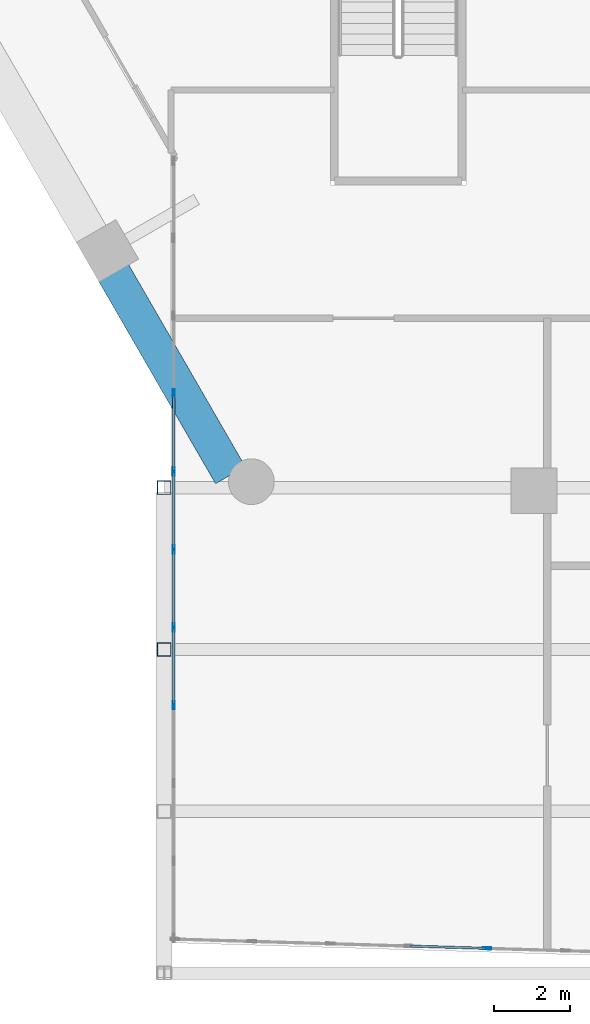
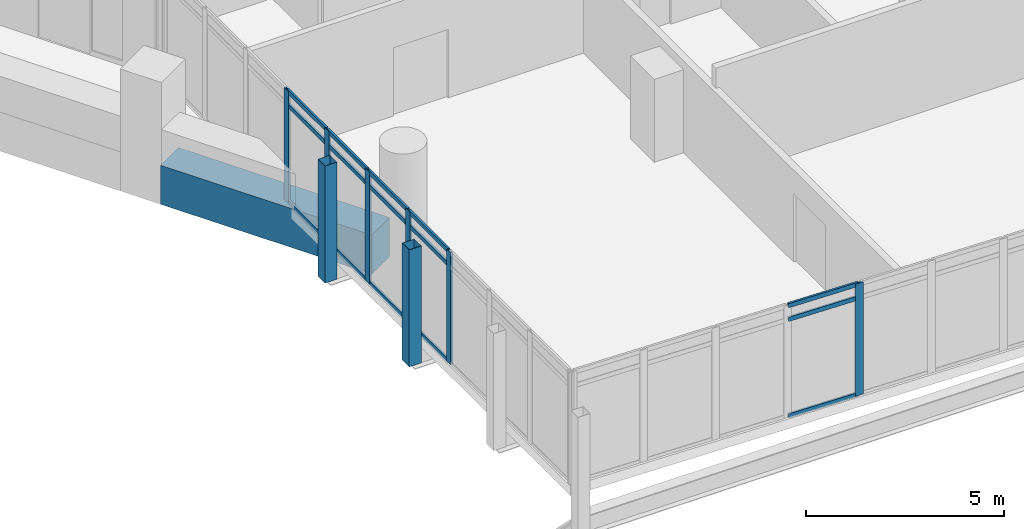
# One storey, part 4 of 37: 23 members, 1 beam, 2 elements without a shape of their own.
"""IFC4 building model written with IfcOpenShell, lengths in metres."""

from ifc_helpers import new_model, si_unit, direction, frame, origin, origin_2d, place, context, subcontext, project, spatial, rectangle, hollow_rectangle, extrude, material, material_profile, profile_set, type_object, element, aggregate, save


model = new_model("IFC4")

# Units and contexts
model_context = context("Model", 3, precision=1e-05, world=origin(), true_north=direction((0.0, 1.0)))
body_context = subcontext(model_context, "Body", "Model", "MODEL_VIEW")
ifc_project = project(units=[si_unit("LENGTHUNIT", "METRE"), si_unit("AREAUNIT", "SQUARE_METRE"), si_unit("VOLUMEUNIT", "CUBIC_METRE"), si_unit("PLANEANGLEUNIT", "RADIAN"), si_unit("MASSUNIT", "GRAM", prefix="KILO")], contexts=[model_context])

# Site, building, storey
site_placement = place(None, origin())
site = spatial("IfcSite", under=ifc_project, at=site_placement, CompositionType="ELEMENT")
building_placement = place(site_placement, origin())
building = spatial("IfcBuilding", under=site, at=building_placement, Name="Ostrander Bayou Hotel Tower", CompositionType="ELEMENT")
storey_placement = place(building_placement, frame((0.0, 0.0, 93.0)))
storey = spatial("IfcBuildingStorey", under=building, at=storey_placement, Name="L23", CompositionType="ELEMENT", Elevation=93.0)

# Curtain wall, members
ifc_material_1 = material(Name="Aluminium and clear glass", Category="aluminium")
curtain_wall_type = type_object("IfcCurtainWallType", Name="CW-BAR glazed wall", PredefinedType="NOTDEFINED", material=ifc_material_1)
curtain_wall_1_placement = place(storey_placement, origin())
curtain_wall_1 = element("IfcCurtainWall", 1, at=curtain_wall_1_placement, inside=storey, type_object=curtain_wall_type, Name="CW-BAR L23:SB2S:E", PredefinedType="NOTDEFINED")
ifc_material_2 = material(Name="Aluminium", Category="aluminium")
ifc_material_profile_1 = material_profile(ifc_material_2, hollow_rectangle(XDim=0.06005859375, YDim=0.219970703125, WallThickness=0.00390625, at=origin_2d()))
ifc_profile_set_1 = profile_set([ifc_material_profile_1], Name="Aluminium")
member_type_1 = type_object("IfcMemberType", Name="CW-BR mullion 60 x 220 mm", PredefinedType="MULLION", material=ifc_profile_set_1)
member_1_placement = place(storey_placement, frame((-13.3671875, -16.98388671875, 0.0), z_axis=(0.0, 0.0, 1.0), x_axis=(1.0, 0.0, 0.0)))
member_1 = element("IfcMember", 2, at=member_1_placement, type_object=member_type_1, Name="CW-BAR mullion 4", PredefinedType="MULLION", context=body_context, shape_type="SweptSolid", body=[
    extrude(hollow_rectangle(XDim=0.06005859375, YDim=0.219970703125, WallThickness=0.00390625, at=origin_2d()), origin(), (0.0, 0.0, 1.0), 3.449951171875),
])
member_2_placement = place(storey_placement, frame((-13.3671875, -19.029296875, 0.0), z_axis=(0.0, 0.0, 1.0), x_axis=(1.0, 0.0, 0.0)))
member_2 = element("IfcMember", 3, at=member_2_placement, type_object=member_type_1, Name="CW-BAR mullion 5", PredefinedType="MULLION", context=body_context, shape_type="SweptSolid", body=[
    extrude(hollow_rectangle(XDim=0.06005859375, YDim=0.219970703125, WallThickness=0.00390625, at=origin_2d()), origin(), (0.0, 0.0, 1.0), 3.449951171875),
])
member_3_placement = place(storey_placement, frame((-13.3671875, -21.07470703125, 0.0), z_axis=(0.0, 0.0, 1.0), x_axis=(1.0, 0.0, 0.0)))
member_3 = element("IfcMember", 4, at=member_3_placement, type_object=member_type_1, Name="CW-BAR mullion 6", PredefinedType="MULLION", context=body_context, shape_type="SweptSolid", body=[
    extrude(hollow_rectangle(XDim=0.06005859375, YDim=0.219970703125, WallThickness=0.00390625, at=origin_2d()), origin(), (0.0, 0.0, 1.0), 3.449951171875),
])
member_4_placement = place(storey_placement, frame((-13.3671875, -23.120361328125, 0.0), z_axis=(0.0, 0.0, 1.0), x_axis=(1.0, 0.0, 0.0)))
member_4 = element("IfcMember", 5, at=member_4_placement, type_object=member_type_1, Name="CW-BAR mullion 7", PredefinedType="MULLION", context=body_context, shape_type="SweptSolid", body=[
    extrude(hollow_rectangle(XDim=0.06005859375, YDim=0.219970703125, WallThickness=0.00390625, at=origin_2d()), origin(), (0.0, 0.0, 1.0), 3.449951171875),
])
member_5_placement = place(storey_placement, frame((-13.3671875, -25.165771484375, 0.0), z_axis=(0.0, 0.0, 1.0), x_axis=(1.0, 0.0, 0.0)))
member_5 = element("IfcMember", 6, at=member_5_placement, type_object=member_type_1, Name="CW-BAR mullion 8", PredefinedType="MULLION", context=body_context, shape_type="SweptSolid", body=[
    extrude(hollow_rectangle(XDim=0.06005859375, YDim=0.219970703125, WallThickness=0.00390625, at=origin_2d()), origin(), (0.0, 0.0, 1.0), 3.449951171875),
])

# Curtain wall, member
curtain_wall_2_placement = place(storey_placement, origin())
curtain_wall_2 = element("IfcCurtainWall", 7, at=curtain_wall_2_placement, inside=storey, type_object=curtain_wall_type, Name="CW-BAR L23:SB2S:T", PredefinedType="NOTDEFINED")
member_6_placement = place(storey_placement, frame((-5.14111328125, -31.547119140625, 0.0), z_axis=(0.0, 0.0, 1.0), x_axis=(0.029746242041, 0.999557482631, 0.0)))
member_6 = element("IfcMember", 8, at=member_6_placement, type_object=member_type_1, Name="CW-BAR mullion 5", PredefinedType="MULLION", context=body_context, shape_type="SweptSolid", body=[
    extrude(hollow_rectangle(XDim=0.06005859375, YDim=0.219970703125, WallThickness=0.00390625, at=origin_2d()), origin(), (0.0, 0.0, 1.0), 3.449951171875),
])

# Member
ifc_material_3 = material(Name="Aluminium", Category="aluminium")
ifc_material_profile_2 = material_profile(ifc_material_3, hollow_rectangle(XDim=0.06005859375, YDim=0.1298828125, WallThickness=0.00390625, at=origin_2d()))
ifc_profile_set_2 = profile_set([ifc_material_profile_2], Name="Aluminium")
member_type_2 = type_object("IfcMemberType", Name="CW-BR transom 60 x 130 mm", PredefinedType="USERDEFINED", material=ifc_profile_set_2)
member_7_placement = place(storey_placement, frame((-13.3671875, -17.013671875, 0.030029296875), z_axis=(0.0, -1.0, 0.0), x_axis=(1.0, 0.0, 0.0)))
member_7 = element("IfcMember", 9, at=member_7_placement, type_object=member_type_2, Name="CW-BAR transom 4.1", ObjectType="TRANSOM", PredefinedType="USERDEFINED", context=body_context, shape_type="SweptSolid", body=[
    extrude(hollow_rectangle(XDim=0.06005859375, YDim=0.1298828125, WallThickness=0.00390625, at=origin_2d()), origin(), (0.0, 0.0, 1.0), 1.985595703125),
])

member_8_placement = place(storey_placement, frame((-13.3671875, -17.013671875, 3.0), z_axis=(0.0, -1.0, 0.0), x_axis=(1.0, 0.0, 0.0)))
member_8 = element("IfcMember", 10, at=member_8_placement, type_object=member_type_2, Name="CW-BAR transom 4.2", ObjectType="TRANSOM", PredefinedType="USERDEFINED", context=body_context, shape_type="SweptSolid", body=[
    extrude(hollow_rectangle(XDim=0.06005859375, YDim=0.1298828125, WallThickness=0.00390625, at=origin_2d()), origin(), (0.0, 0.0, 1.0), 1.985595703125),
])

member_9_placement = place(storey_placement, frame((-13.3671875, -17.013671875, 3.419921875), z_axis=(0.0, -1.0, 0.0), x_axis=(1.0, 0.0, 0.0)))
member_9 = element("IfcMember", 11, at=member_9_placement, type_object=member_type_2, Name="CW-BAR transom 4.3", ObjectType="TRANSOM", PredefinedType="USERDEFINED", context=body_context, shape_type="SweptSolid", body=[
    extrude(hollow_rectangle(XDim=0.06005859375, YDim=0.1298828125, WallThickness=0.00390625, at=origin_2d()), origin(), (0.0, 0.0, 1.0), 1.985595703125),
])

member_10_placement = place(storey_placement, frame((-13.3671875, -19.059326171875, 0.030029296875), z_axis=(0.0, -1.0, 0.0), x_axis=(1.0, 0.0, 0.0)))
member_10 = element("IfcMember", 12, at=member_10_placement, type_object=member_type_2, Name="CW-BAR transom 5.1", ObjectType="TRANSOM", PredefinedType="USERDEFINED", context=body_context, shape_type="SweptSolid", body=[
    extrude(hollow_rectangle(XDim=0.06005859375, YDim=0.1298828125, WallThickness=0.00390625, at=origin_2d()), origin(), (0.0, 0.0, 1.0), 1.9853515625),
])

member_11_placement = place(storey_placement, frame((-13.3671875, -19.059326171875, 3.0), z_axis=(0.0, -1.0, 0.0), x_axis=(1.0, 0.0, 0.0)))
member_11 = element("IfcMember", 13, at=member_11_placement, type_object=member_type_2, Name="CW-BAR transom 5.2", ObjectType="TRANSOM", PredefinedType="USERDEFINED", context=body_context, shape_type="SweptSolid", body=[
    extrude(hollow_rectangle(XDim=0.06005859375, YDim=0.1298828125, WallThickness=0.00390625, at=origin_2d()), origin(), (0.0, 0.0, 1.0), 1.9853515625),
])

member_12_placement = place(storey_placement, frame((-13.3671875, -19.059326171875, 3.419921875), z_axis=(0.0, -1.0, 0.0), x_axis=(1.0, 0.0, 0.0)))
member_12 = element("IfcMember", 14, at=member_12_placement, type_object=member_type_2, Name="CW-BAR transom 5.3", ObjectType="TRANSOM", PredefinedType="USERDEFINED", context=body_context, shape_type="SweptSolid", body=[
    extrude(hollow_rectangle(XDim=0.06005859375, YDim=0.1298828125, WallThickness=0.00390625, at=origin_2d()), origin(), (0.0, 0.0, 1.0), 1.9853515625),
])

member_13_placement = place(storey_placement, frame((-13.3671875, -21.104736328125, 0.030029296875), z_axis=(0.0, -1.0, 0.0), x_axis=(1.0, 0.0, 0.0)))
member_13 = element("IfcMember", 15, at=member_13_placement, type_object=member_type_2, Name="CW-BAR transom 6.1", ObjectType="TRANSOM", PredefinedType="USERDEFINED", context=body_context, shape_type="SweptSolid", body=[
    extrude(hollow_rectangle(XDim=0.06005859375, YDim=0.1298828125, WallThickness=0.00390625, at=origin_2d()), origin(), (0.0, 0.0, 1.0), 1.985595703125),
])

member_14_placement = place(storey_placement, frame((-13.3671875, -21.104736328125, 3.0), z_axis=(0.0, -1.0, 0.0), x_axis=(1.0, 0.0, 0.0)))
member_14 = element("IfcMember", 16, at=member_14_placement, type_object=member_type_2, Name="CW-BAR transom 6.2", ObjectType="TRANSOM", PredefinedType="USERDEFINED", context=body_context, shape_type="SweptSolid", body=[
    extrude(hollow_rectangle(XDim=0.06005859375, YDim=0.1298828125, WallThickness=0.00390625, at=origin_2d()), origin(), (0.0, 0.0, 1.0), 1.985595703125),
])

member_15_placement = place(storey_placement, frame((-13.3671875, -21.104736328125, 3.419921875), z_axis=(0.0, -1.0, 0.0), x_axis=(1.0, 0.0, 0.0)))
member_15 = element("IfcMember", 17, at=member_15_placement, type_object=member_type_2, Name="CW-BAR transom 6.3", ObjectType="TRANSOM", PredefinedType="USERDEFINED", context=body_context, shape_type="SweptSolid", body=[
    extrude(hollow_rectangle(XDim=0.06005859375, YDim=0.1298828125, WallThickness=0.00390625, at=origin_2d()), origin(), (0.0, 0.0, 1.0), 1.985595703125),
])

member_16_placement = place(storey_placement, frame((-13.3671875, -23.150146484375, 0.030029296875), z_axis=(0.0, -1.0, 0.0), x_axis=(1.0, 0.0, 0.0)))
member_16 = element("IfcMember", 18, at=member_16_placement, type_object=member_type_2, Name="CW-BAR transom 7.1", ObjectType="TRANSOM", PredefinedType="USERDEFINED", context=body_context, shape_type="SweptSolid", body=[
    extrude(hollow_rectangle(XDim=0.06005859375, YDim=0.1298828125, WallThickness=0.00390625, at=origin_2d()), origin(), (0.0, 0.0, 1.0), 1.985595703125),
])

member_17_placement = place(storey_placement, frame((-13.3671875, -23.150146484375, 3.0), z_axis=(0.0, -1.0, 0.0), x_axis=(1.0, 0.0, 0.0)))
member_17 = element("IfcMember", 19, at=member_17_placement, type_object=member_type_2, Name="CW-BAR transom 7.2", ObjectType="TRANSOM", PredefinedType="USERDEFINED", context=body_context, shape_type="SweptSolid", body=[
    extrude(hollow_rectangle(XDim=0.06005859375, YDim=0.1298828125, WallThickness=0.00390625, at=origin_2d()), origin(), (0.0, 0.0, 1.0), 1.985595703125),
])

member_18_placement = place(storey_placement, frame((-13.3671875, -23.150146484375, 3.419921875), z_axis=(0.0, -1.0, 0.0), x_axis=(1.0, 0.0, 0.0)))
member_18 = element("IfcMember", 20, at=member_18_placement, type_object=member_type_2, Name="CW-BAR transom 7.3", ObjectType="TRANSOM", PredefinedType="USERDEFINED", context=body_context, shape_type="SweptSolid", body=[
    extrude(hollow_rectangle(XDim=0.06005859375, YDim=0.1298828125, WallThickness=0.00390625, at=origin_2d()), origin(), (0.0, 0.0, 1.0), 1.985595703125),
])

aggregate(curtain_wall_1, [member_1, member_2, member_3, member_4, member_5, member_7, member_8, member_9, member_10, member_11, member_12, member_13, member_14, member_15, member_16, member_17, member_18])

member_19_placement = place(storey_placement, frame((-7.167724609375, -31.486572265625, 0.030029296875), z_axis=(0.999555199151, -0.029822874614, 0.0), x_axis=(0.029822874614, 0.999555199151, 0.0)))
member_19 = element("IfcMember", 21, at=member_19_placement, type_object=member_type_2, Name="CW-BAR transom 4.1", ObjectType="TRANSOM", PredefinedType="USERDEFINED", context=body_context, shape_type="SweptSolid", body=[
    extrude(hollow_rectangle(XDim=0.06005859375, YDim=0.1298828125, WallThickness=0.00390625, at=origin_2d()), origin(), (0.0, 0.0, 1.0), 1.99755859375),
])

member_20_placement = place(storey_placement, frame((-7.167724609375, -31.486572265625, 3.0), z_axis=(0.999555199151, -0.029822874614, 0.0), x_axis=(0.029822874614, 0.999555199151, 0.0)))
member_20 = element("IfcMember", 22, at=member_20_placement, type_object=member_type_2, Name="CW-BAR transom 4.2", ObjectType="TRANSOM", PredefinedType="USERDEFINED", context=body_context, shape_type="SweptSolid", body=[
    extrude(hollow_rectangle(XDim=0.06005859375, YDim=0.1298828125, WallThickness=0.00390625, at=origin_2d()), origin(), (0.0, 0.0, 1.0), 1.99755859375),
])

member_21_placement = place(storey_placement, frame((-7.167724609375, -31.486572265625, 3.419921875), z_axis=(0.999555199151, -0.029822874614, 0.0), x_axis=(0.029822874614, 0.999555199151, 0.0)))
member_21 = element("IfcMember", 23, at=member_21_placement, type_object=member_type_2, Name="CW-BAR transom 4.3", ObjectType="TRANSOM", PredefinedType="USERDEFINED", context=body_context, shape_type="SweptSolid", body=[
    extrude(hollow_rectangle(XDim=0.06005859375, YDim=0.1298828125, WallThickness=0.00390625, at=origin_2d()), origin(), (0.0, 0.0, 1.0), 1.99755859375),
])

aggregate(curtain_wall_2, [member_6, member_19, member_20, member_21])

# Beam
ifc_material_4 = material(Name="Concrete f'c 70 MPa", Category="concrete")
ifc_material_profile_3 = material_profile(ifc_material_4, rectangle(XDim=0.89990234375, YDim=1.199951171875, at=origin_2d()))
ifc_profile_set_3 = profile_set([ifc_material_profile_3], Name="Concrete f'c 70 MPa")
beam_type = type_object("IfcBeamType", Name="SP2 spandrel beam 900 x 1200 mm f'c 70 MPa", PredefinedType="SPANDREL", material=ifc_profile_set_3)
beam_placement = place(storey_placement, frame((-14.9521484375, -13.802001953125, -0.60009765625), z_axis=(0.499976998774, -0.866038683141, 0.0), x_axis=(0.866038683141, 0.499976998774, 0.0)))
element("IfcBeam", 24, at=beam_placement, inside=storey, type_object=beam_type, Name="SP2 L23 SW-3", PredefinedType="SPANDREL", context=body_context, shape_type="SweptSolid", body=[
    extrude(rectangle(XDim=0.89990234375, YDim=1.199951171875, at=origin_2d()), origin(), (0.0, 0.0, 1.0), 6.143798828125),
])

# Members
ifc_material_5 = material(Name="Steel ASTM A500 Gr C", Category="steel")
ifc_material_profile_4 = material_profile(ifc_material_5, hollow_rectangle(XDim=0.355712890625, YDim=0.355712890625, WallThickness=0.0087890625, at=origin_2d()))
ifc_profile_set_4 = profile_set([ifc_material_profile_4], Name="Steel ASTM A500 Gr C")
member_type_3 = type_object("IfcMemberType", Name="TH3 bar hanger HSS14x14x3/8", PredefinedType="POST", material=ifc_profile_set_4)
for number, where, z_axis, x_axis, name in (
    (25, (-13.6201171875, -19.450927734375, -0.771728515625), (0.0, 0.0, 1.0), (1.0, 0.0, 0.0), "TH3 SB2SA H1-1"),
    (26, (-13.6201171875, -23.70068359375, -0.771728515625), (0.0, 0.0, 1.0), (1.0, 0.0, 0.0), "TH3 SB2SA H2-1"),
):
    element("IfcMember", number, at=place(storey_placement, frame(where, z_axis=z_axis, x_axis=x_axis)), inside=storey, type_object=member_type_3, Name=name, PredefinedType="POST", context=body_context, shape_type="SweptSolid", body=[
        extrude(hollow_rectangle(XDim=0.355712890625, YDim=0.355712890625, WallThickness=0.0087890625, at=origin_2d()), origin(), (0.0, 0.0, 1.0), 3.599853515625),
    ])

save(model, "model.ifc")
